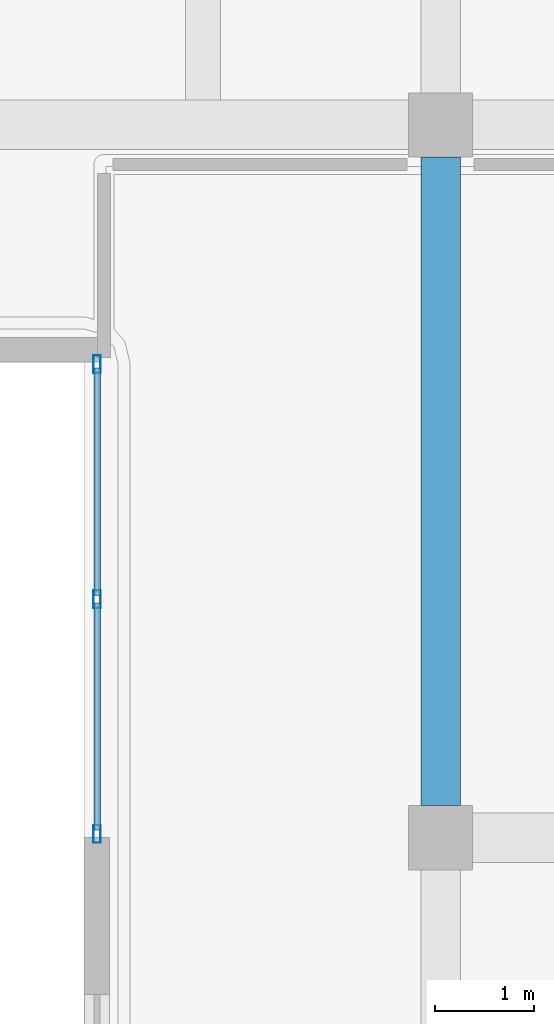
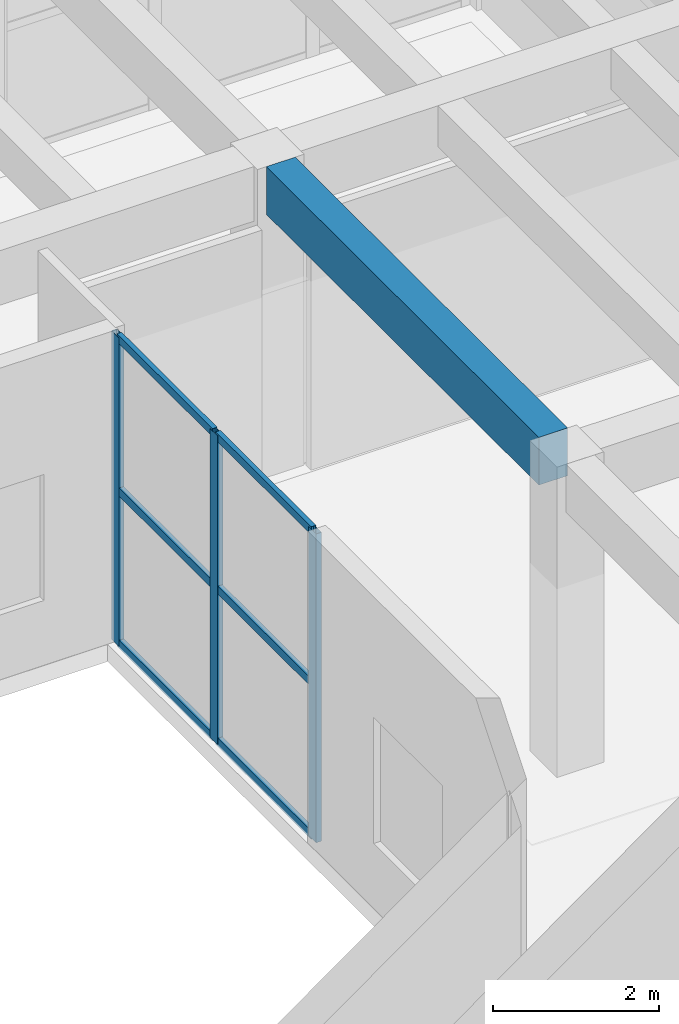
# One storey, part 76 of 155: 9 members, 1 beam, 1 element without a shape of its own.
"""IFC4 building model written with IfcOpenShell, lengths in metres."""

from ifc_helpers import new_model, si_unit, direction, frame, origin, origin_2d, place, context, subcontext, project, spatial, rectangle, hollow_rectangle, extrude, material, material_profile, profile_set, type_object, element, aggregate, save


model = new_model("IFC4")

# Units and contexts
model_context = context("Model", 3, precision=1e-05, world=origin(), true_north=direction((0.0, 1.0)))
body_context = subcontext(model_context, "Body", "Model", "MODEL_VIEW")
ifc_project = project(units=[si_unit("LENGTHUNIT", "METRE"), si_unit("AREAUNIT", "SQUARE_METRE"), si_unit("VOLUMEUNIT", "CUBIC_METRE"), si_unit("PLANEANGLEUNIT", "RADIAN"), si_unit("MASSUNIT", "GRAM", prefix="KILO")], contexts=[model_context])

# Site, building, storey
site_placement = place(None, origin())
site = spatial("IfcSite", under=ifc_project, at=site_placement, CompositionType="ELEMENT")
building_placement = place(site_placement, origin())
building = spatial("IfcBuilding", under=site, at=building_placement, Name="Bramvelor Terrace Health Centre", CompositionType="ELEMENT")
storey_placement = place(building_placement, origin())
storey = spatial("IfcBuildingStorey", under=building, at=storey_placement, Name="L01", CompositionType="ELEMENT", Elevation=0.0)

# Beam
ifc_material_1 = material(Name="Concrete C40/50", Category="concrete")
ifc_material_profile_1 = material_profile(ifc_material_1, rectangle(XDim=0.39990234375, YDim=0.699951171875, at=origin_2d()), Name="RC 400x700")
ifc_profile_set_1 = profile_set([ifc_material_profile_1], Name="Concrete C40/50")
beam_type = type_object("IfcBeamType", Name="BM-RC-G700", PredefinedType="BEAM", material=ifc_profile_set_1)
beam_placement = place(storey_placement, frame((28.800048828125, 101.125, 4.2099609375), z_axis=(0.0, 1.0, 0.0), x_axis=(-1.0, 0.0, 0.0)))
element("IfcBeam", 1, at=beam_placement, inside=storey, type_object=beam_type, Name="L01 Floor Girder", PredefinedType="BEAM", context=body_context, shape_type="SweptSolid", body=[
    extrude(rectangle(XDim=0.39990234375, YDim=0.699951171875, at=origin_2d()), origin(), (0.0, 0.0, 1.0), 6.550048828125),
])

# Curtain wall, members
ifc_material_2 = material(Name="Anodized aluminium and double low-E glass", Category="aluminium")
curtain_wall_type = type_object("IfcCurtainWallType", Name="CW-SYS-09", PredefinedType="NOTDEFINED", material=ifc_material_2)
curtain_wall_placement = place(storey_placement, origin())
curtain_wall = element("IfcCurtainWall", 2, at=curtain_wall_placement, inside=storey, type_object=curtain_wall_type, Name="L01 Unitized Curtain Wall 67", PredefinedType="NOTDEFINED")
ifc_material_3 = material(Name="Anodized aluminium 6063-T6", Category="aluminium")
ifc_material_profile_2 = material_profile(ifc_material_3, hollow_rectangle(XDim=0.074951171875, YDim=0.179931640625, WallThickness=0.00341796875, at=origin_2d()), Name="ALU-MUL 75x180x3.5")
ifc_profile_set_2 = profile_set([ifc_material_profile_2], Name="Anodized aluminium 6063-T6")
member_type_1 = type_object("IfcMemberType", Name="CW-MUL-65x180", PredefinedType="MULLION", material=ifc_profile_set_2)
member_1_placement = place(storey_placement, frame((25.330078125, 100.83740234375, 0.0), z_axis=(0.0, 0.0, 1.0), x_axis=(-1.0, 0.0, 0.0)))
member_1 = element("IfcMember", 3, at=member_1_placement, type_object=member_type_1, Name="CW-09 mullion 1", PredefinedType="MULLION", context=body_context, shape_type="SweptSolid", body=[
    extrude(hollow_rectangle(XDim=0.074951171875, YDim=0.179931640625, WallThickness=0.00341796875, at=origin_2d()), origin(), (0.0, 0.0, 1.0), 4.530029296875),
])
member_2_placement = place(storey_placement, frame((25.330078125, 103.2099609375, 0.0), z_axis=(0.0, 0.0, 1.0), x_axis=(-1.0, 0.0, 0.0)))
member_2 = element("IfcMember", 4, at=member_2_placement, type_object=member_type_1, Name="CW-09 mullion 2", PredefinedType="MULLION", context=body_context, shape_type="SweptSolid", body=[
    extrude(hollow_rectangle(XDim=0.074951171875, YDim=0.179931640625, WallThickness=0.00341796875, at=origin_2d()), origin(), (0.0, 0.0, 1.0), 4.530029296875),
])
member_3_placement = place(storey_placement, frame((25.330078125, 105.58251953125, 0.0), z_axis=(0.0, 0.0, 1.0), x_axis=(-1.0, 0.0, 0.0)))
member_3 = element("IfcMember", 5, at=member_3_placement, type_object=member_type_1, Name="CW-09 mullion 3", PredefinedType="MULLION", context=body_context, shape_type="SweptSolid", body=[
    extrude(hollow_rectangle(XDim=0.074951171875, YDim=0.179931640625, WallThickness=0.00341796875, at=origin_2d()), origin(), (0.0, 0.0, 1.0), 4.530029296875),
])
ifc_material_4 = material(Name="Anodized aluminium 6063-T6", Category="aluminium")
ifc_material_profile_3 = material_profile(ifc_material_4, hollow_rectangle(XDim=0.06494140625, YDim=0.1201171875, WallThickness=0.0029296875, at=origin_2d()), Name="ALU-TRN 65x120x3.0")
ifc_profile_set_3 = profile_set([ifc_material_profile_3], Name="Anodized aluminium 6063-T6")
member_type_2 = type_object("IfcMemberType", Name="CW-TRN-65x150", PredefinedType="USERDEFINED", material=ifc_profile_set_3)
member_4_placement = place(storey_placement, frame((25.330078125, 100.875, 0.032470703125), z_axis=(0.0, 1.0, 0.0), x_axis=(-1.0, 0.0, 0.0)))
member_4 = element("IfcMember", 6, at=member_4_placement, type_object=member_type_2, Name="CW-09 transom 1.1", ObjectType="TRANSOM", PredefinedType="USERDEFINED", context=body_context, shape_type="SweptSolid", body=[
    extrude(hollow_rectangle(XDim=0.06494140625, YDim=0.1201171875, WallThickness=0.0029296875, at=origin_2d()), origin(), (0.0, 0.0, 1.0), 2.297607421875),
])
member_5_placement = place(storey_placement, frame((25.330078125, 100.875, 2.264892578125), z_axis=(0.0, 1.0, 0.0), x_axis=(-1.0, 0.0, 0.0)))
member_5 = element("IfcMember", 7, at=member_5_placement, type_object=member_type_2, Name="CW-09 transom 1.2", ObjectType="TRANSOM", PredefinedType="USERDEFINED", context=body_context, shape_type="SweptSolid", body=[
    extrude(hollow_rectangle(XDim=0.06494140625, YDim=0.1201171875, WallThickness=0.0029296875, at=origin_2d()), origin(), (0.0, 0.0, 1.0), 2.297607421875),
])
member_6_placement = place(storey_placement, frame((25.330078125, 100.875, 4.49755859375), z_axis=(0.0, 1.0, 0.0), x_axis=(-1.0, 0.0, 0.0)))
member_6 = element("IfcMember", 8, at=member_6_placement, type_object=member_type_2, Name="CW-09 transom 1.3", ObjectType="TRANSOM", PredefinedType="USERDEFINED", context=body_context, shape_type="SweptSolid", body=[
    extrude(hollow_rectangle(XDim=0.06494140625, YDim=0.1201171875, WallThickness=0.0029296875, at=origin_2d()), origin(), (0.0, 0.0, 1.0), 2.297607421875),
])
member_7_placement = place(storey_placement, frame((25.330078125, 103.24755859375, 0.032470703125), z_axis=(0.0, 1.0, 0.0), x_axis=(-1.0, 0.0, 0.0)))
member_7 = element("IfcMember", 9, at=member_7_placement, type_object=member_type_2, Name="CW-09 transom 2.1", ObjectType="TRANSOM", PredefinedType="USERDEFINED", context=body_context, shape_type="SweptSolid", body=[
    extrude(hollow_rectangle(XDim=0.06494140625, YDim=0.1201171875, WallThickness=0.0029296875, at=origin_2d()), origin(), (0.0, 0.0, 1.0), 2.29736328125),
])
member_8_placement = place(storey_placement, frame((25.330078125, 103.24755859375, 2.264892578125), z_axis=(0.0, 1.0, 0.0), x_axis=(-1.0, 0.0, 0.0)))
member_8 = element("IfcMember", 10, at=member_8_placement, type_object=member_type_2, Name="CW-09 transom 2.2", ObjectType="TRANSOM", PredefinedType="USERDEFINED", context=body_context, shape_type="SweptSolid", body=[
    extrude(hollow_rectangle(XDim=0.06494140625, YDim=0.1201171875, WallThickness=0.0029296875, at=origin_2d()), origin(), (0.0, 0.0, 1.0), 2.29736328125),
])
member_9_placement = place(storey_placement, frame((25.330078125, 103.24755859375, 4.49755859375), z_axis=(0.0, 1.0, 0.0), x_axis=(-1.0, 0.0, 0.0)))
member_9 = element("IfcMember", 11, at=member_9_placement, type_object=member_type_2, Name="CW-09 transom 2.3", ObjectType="TRANSOM", PredefinedType="USERDEFINED", context=body_context, shape_type="SweptSolid", body=[
    extrude(hollow_rectangle(XDim=0.06494140625, YDim=0.1201171875, WallThickness=0.0029296875, at=origin_2d()), origin(), (0.0, 0.0, 1.0), 2.29736328125),
])
aggregate(curtain_wall, [member_1, member_2, member_3, member_4, member_5, member_6, member_7, member_8, member_9])

save(model, "model.ifc")
